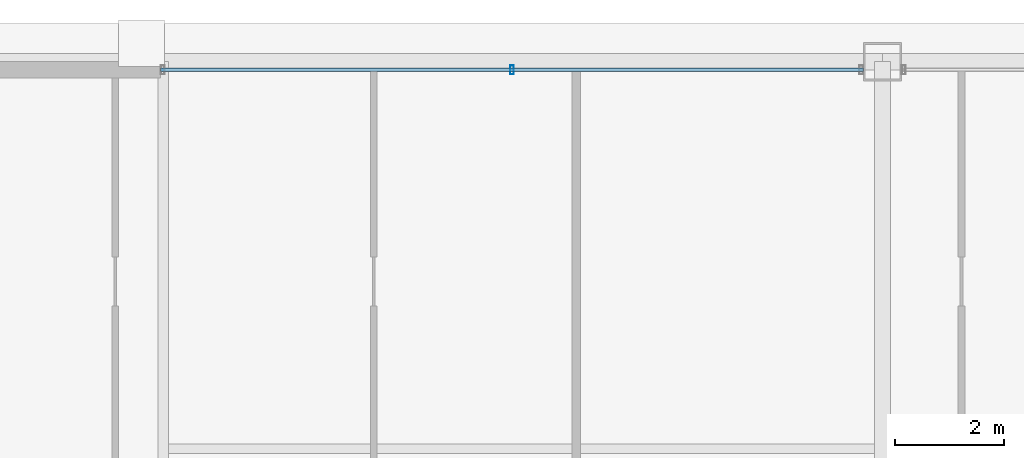
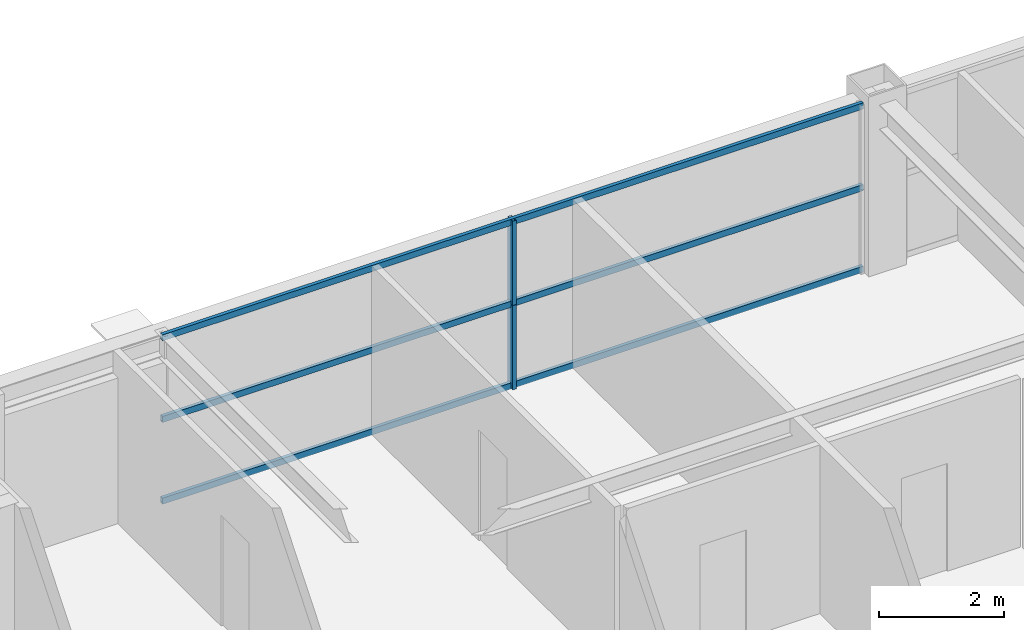
# One storey, part 26 of 37: 5 members, 1 element without a shape of its own.
"""IFC4 building model written with IfcOpenShell, lengths in metres."""

from ifc_helpers import new_model, si_unit, direction, frame, origin, origin_2d, place, context, subcontext, project, spatial, hollow_rectangle, extrude, source, transform, mapped, material, layer, layer_set, material_profile, profile_set, type_object, element, aggregate, save


model = new_model("IFC4")

# Units and contexts
model_context = context("Model", 3, precision=1e-05, world=origin(), true_north=direction((0.0, 1.0)))
body_context = subcontext(model_context, "Body", "Model", "MODEL_VIEW")
ifc_project = project(units=[si_unit("LENGTHUNIT", "METRE"), si_unit("AREAUNIT", "SQUARE_METRE"), si_unit("VOLUMEUNIT", "CUBIC_METRE"), si_unit("PLANEANGLEUNIT", "RADIAN"), si_unit("MASSUNIT", "GRAM", prefix="KILO"), si_unit("THERMODYNAMICTEMPERATUREUNIT", "KELVIN"), si_unit("POWERUNIT", "WATT")], contexts=[model_context])

# Site, building, storey
site_placement = place(None, origin())
site = spatial("IfcSite", under=ifc_project, at=site_placement, CompositionType="ELEMENT")
building_placement = place(site_placement, origin())
building = spatial("IfcBuilding", under=site, at=building_placement, Name="Yuzanri Waterfront Tower", CompositionType="ELEMENT")
storey_placement = place(building_placement, frame((0.0, 0.0, 252.10009765625)))
storey = spatial("IfcBuildingStorey", under=building, at=storey_placement, Name="L67", CompositionType="ELEMENT", Elevation=252.10009765625)

# Curtain wall, members
ifc_material_1 = material(Name="Anodized Architectural Bronze", Category="metal")
ifc_layer = layer(ifc_material_1, 0.159912109375)
ifc_layer_set = layer_set([ifc_layer], Name="Anodized Architectural Bronze")
curtain_wall_type = type_object("IfcCurtainWallType", Name="Anodized Bronze Mid-Rise Residential Acoustic Unitized Curtain Wall 7200", PredefinedType="NOTDEFINED", material=ifc_layer_set)
curtain_wall_placement = place(storey_placement, origin())
curtain_wall = element("IfcCurtainWall", 1, at=curtain_wall_placement, inside=storey, type_object=curtain_wall_type, Name="L67 Curtain Wall CW-L67-NL", PredefinedType="NOTDEFINED")
ifc_material_2 = material(Name="Anodized Architectural Bronze", Category="metal")
ifc_material_profile_1 = material_profile(ifc_material_2, hollow_rectangle(XDim=0.06494140625, YDim=0.159912109375, WallThickness=0.00341796875, at=origin_2d()), Name="CWM 65x160")
ifc_profile_set_1 = profile_set([ifc_material_profile_1], Name="Anodized Architectural Bronze")
member_type_1 = type_object("IfcMemberType", Name="Anodized Bronze Upper-Zone Curtain-Wall Mullion 65x160", PredefinedType="MULLION", material=ifc_profile_set_1)
shared_shape_1 = source(origin(), body_context, "Body", "SweptSolid", [
    extrude(hollow_rectangle(XDim=0.06494140625, YDim=0.159912109375, WallThickness=0.00341796875, at=origin_2d()), origin(), (0.0, 0.0, 1.0), 1.637939453125),
])
member_1_placement = place(storey_placement, frame((30.199951171875, 46.25, 0.0), z_axis=(0.0, 0.0, 1.0), x_axis=(1.0, 0.0, 0.0)))
member_1 = element("IfcMember", 2, at=member_1_placement, type_object=member_type_1, Name="CW-L67-NL Lower Mullion 01", PredefinedType="MULLION", context=body_context, shape_type="MappedRepresentation", body=[
    mapped(shared_shape_1, transform((0.0, 0.0, 0.0), scale=1.0)),
])
member_2_placement = place(storey_placement, frame((30.199951171875, 46.25, 1.641845703125), z_axis=(0.0, 0.0, 1.0), x_axis=(1.0, 0.0, 0.0)))
member_2 = element("IfcMember", 3, at=member_2_placement, type_object=member_type_1, Name="CW-L67-NL Upper Mullion 01", PredefinedType="MULLION", context=body_context, shape_type="MappedRepresentation", body=[
    mapped(shared_shape_1, transform((0.0, 0.0, 0.0), scale=1.0)),
])
ifc_material_3 = material(Name="Anodized Architectural Bronze", Category="metal")
ifc_material_profile_2 = material_profile(ifc_material_3, hollow_rectangle(XDim=0.06494140625, YDim=0.1201171875, WallThickness=0.00341796875, at=origin_2d()), Name="CWT 65x120")
ifc_profile_set_2 = profile_set([ifc_material_profile_2], Name="Anodized Architectural Bronze")
member_type_2 = type_object("IfcMemberType", Name="Anodized Bronze Secondary Curtain-Wall Transom 65x120", PredefinedType="USERDEFINED", material=ifc_profile_set_2)
shared_shape_2 = source(origin(), body_context, "Body", "SweptSolid", [
    extrude(hollow_rectangle(XDim=0.06494140625, YDim=0.1201171875, WallThickness=0.00341796875, at=origin_2d()), origin(), (0.0, 0.0, 1.0), 12.89990234375),
])
member_3_placement = place(storey_placement, frame((23.75, 46.25, 0.0498046875), z_axis=(1.0, 0.0, 0.0), x_axis=(0.0, 1.0, 0.0)))
member_3 = element("IfcMember", 4, at=member_3_placement, type_object=member_type_2, Name="CW-L67-NL Transom 1", ObjectType="TRANSOM", PredefinedType="USERDEFINED", context=body_context, shape_type="MappedRepresentation", body=[
    mapped(shared_shape_2, transform((0.0, 0.0, 0.0), scale=1.0)),
])
member_4_placement = place(storey_placement, frame((23.75, 46.25, 1.639892578125), z_axis=(1.0, 0.0, 0.0), x_axis=(0.0, 1.0, 0.0)))
member_4 = element("IfcMember", 5, at=member_4_placement, type_object=member_type_2, Name="CW-L67-NL Transom 2", ObjectType="TRANSOM", PredefinedType="USERDEFINED", context=body_context, shape_type="MappedRepresentation", body=[
    mapped(shared_shape_2, transform((0.0, 0.0, 0.0), scale=1.0)),
])
member_5_placement = place(storey_placement, frame((23.75, 46.25, 3.22998046875), z_axis=(1.0, 0.0, 0.0), x_axis=(0.0, 1.0, 0.0)))
member_5 = element("IfcMember", 6, at=member_5_placement, type_object=member_type_2, Name="CW-L67-NL Transom 3", ObjectType="TRANSOM", PredefinedType="USERDEFINED", context=body_context, shape_type="MappedRepresentation", body=[
    mapped(shared_shape_2, transform((0.0, 0.0, 0.0), scale=1.0)),
])
aggregate(curtain_wall, [member_1, member_2, member_3, member_4, member_5])

save(model, "model.ifc")
